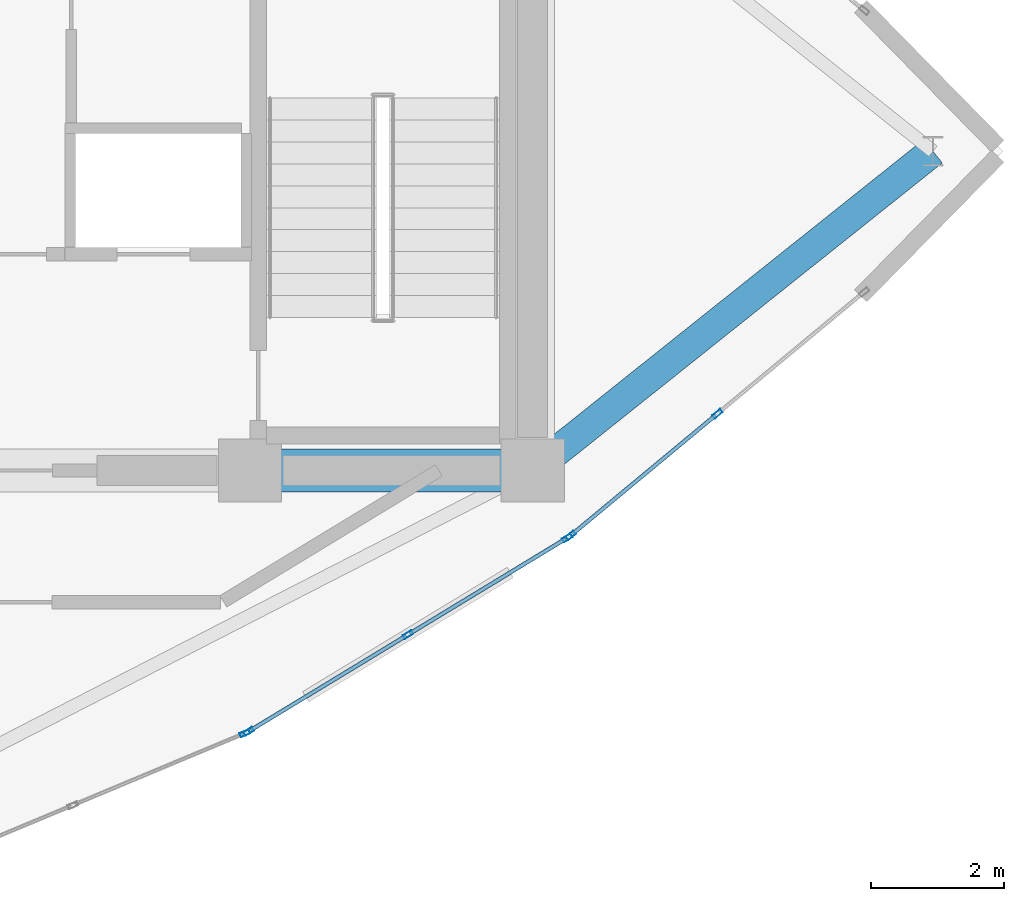
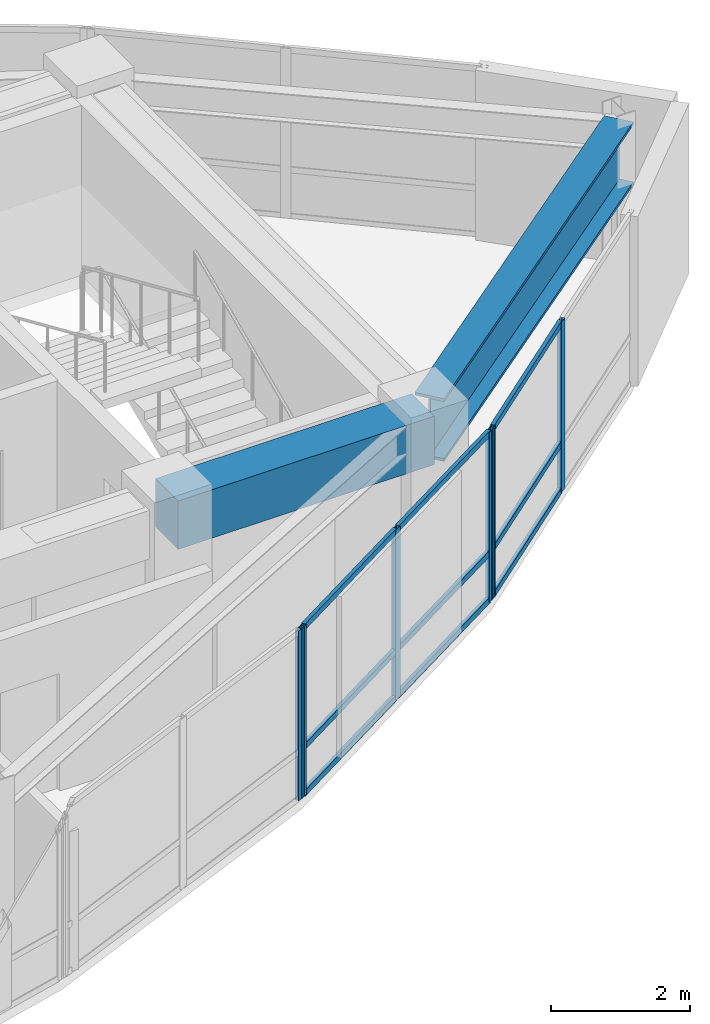
# One storey, part 5 of 14: 15 members, 2 beams, 3 elements without a shape of their own.
"""IFC4 building model written with IfcOpenShell, lengths in metres."""

from ifc_helpers import new_model, si_unit, direction, frame, origin, origin_2d, place, context, subcontext, project, spatial, rectangle, hollow_rectangle, i_section, extrude, material, layer, layer_set, material_profile, profile_set, type_object, element, aggregate, save


model = new_model("IFC4")

# Units and contexts
model_context = context("Model", 3, precision=1e-05, world=origin(), true_north=direction((0.0, 1.0)))
body_context = subcontext(model_context, "Body", "Model", "MODEL_VIEW")
ifc_project = project(units=[si_unit("LENGTHUNIT", "METRE"), si_unit("AREAUNIT", "SQUARE_METRE"), si_unit("VOLUMEUNIT", "CUBIC_METRE"), si_unit("PLANEANGLEUNIT", "RADIAN"), si_unit("MASSUNIT", "GRAM", prefix="KILO")], contexts=[model_context])

# Site, building, storey
site_placement = place(None, origin())
site = spatial("IfcSite", under=ifc_project, at=site_placement, CompositionType="ELEMENT")
building_placement = place(site_placement, origin())
building = spatial("IfcBuilding", under=site, at=building_placement, Name="Menara Vayukalpa", CompositionType="ELEMENT")
storey_placement = place(building_placement, frame((0.0, 0.0, 312.02001953125)))
storey = spatial("IfcBuildingStorey", under=building, at=storey_placement, Name="L80", CompositionType="ELEMENT", Elevation=312.02001953125)

# Beams
ifc_material_1 = material(Name="Concrete C60/75", Category="concrete")
ifc_material_profile_1 = material_profile(ifc_material_1, rectangle(XDim=0.64990234375, YDim=0.85009765625, at=origin_2d()), Name="RC 650x850")
ifc_profile_set_1 = profile_set([ifc_material_profile_1], Name="Concrete C60/75")
beam_type_1 = type_object("IfcBeamType", Name="BM-CB1", PredefinedType="BEAM", material=ifc_profile_set_1)
beam_1_placement = place(storey_placement, frame((29.14990234375, 17.199951171875, 2.554931640625), z_axis=(1.0, 0.0, 0.0), x_axis=(0.0, 1.0, 0.0)))
element("IfcBeam", 1, at=beam_1_placement, inside=storey, type_object=beam_type_1, Name="L80 Core Tie Beam CBR3", PredefinedType="BEAM", context=body_context, shape_type="SweptSolid", body=[
    extrude(rectangle(XDim=0.64990234375, YDim=0.85009765625, at=origin_2d()), origin(), (0.0, 0.0, 1.0), 4.25),
])
ifc_material_2 = material(Name="Steel S460", Category="steel")
ifc_material_profile_2 = material_profile(ifc_material_2, i_section(OverallWidth=0.449951171875, OverallDepth=1.10009765625, WebThickness=0.02490234375, FlangeThickness=0.050048828125, at=origin_2d()), Name="WG 1100x450x25x50")
ifc_profile_set_2 = profile_set([ifc_material_profile_2], Name="Steel S460")
beam_type_2 = type_object("IfcBeamType", Name="BM-MTG1", PredefinedType="BEAM", material=ifc_profile_set_2)
beam_2_placement = place(storey_placement, frame((33.595458984375, 17.35595703125, 2.429931640625), z_axis=(0.781833603421, 0.623487142258, 0.0), x_axis=(-0.623487142258, 0.781833603421, 0.0)))
element("IfcBeam", 2, at=beam_2_placement, inside=storey, type_object=beam_type_2, Name="L80 Primary Radial Girder RG01", PredefinedType="BEAM", context=body_context, shape_type="SweptSolid", body=[
    extrude(i_section(OverallWidth=0.449951171875, OverallDepth=1.10009765625, WebThickness=0.02490234375, FlangeThickness=0.050048828125, at=origin_2d()), origin(), (0.0, 0.0, 1.0), 7.448486328125),
])

# Curtain wall, member
ifc_material_3 = material(Name="Anodised Terracotta Aluminium Alloy 6063-T6", Category="masonry")
ifc_layer = layer(ifc_material_3, 0.14990234375)
ifc_layer_set = layer_set([ifc_layer], Name="Anodised Terracotta Aluminium Alloy 6063-T6")
curtain_wall_type = type_object("IfcCurtainWallType", Name="CW-CW7", PredefinedType="USERDEFINED", material=ifc_layer_set)
curtain_wall_1_placement = place(storey_placement, origin())
curtain_wall_1 = element("IfcCurtainWall", 3, at=curtain_wall_1_placement, inside=storey, type_object=curtain_wall_type, Name="L80 Crown Drum Screened Curtain Wall CW7 16", ObjectType="UNITISED", PredefinedType="USERDEFINED")
ifc_material_4 = material(Name="Anodised Terracotta Aluminium Alloy 6063-T6", Category="masonry")
ifc_material_profile_3 = material_profile(ifc_material_4, hollow_rectangle(XDim=0.06494140625, YDim=0.14990234375, WallThickness=0.00341796875, at=origin_2d()), Name="ALU 65x150x3.5")
ifc_profile_set_3 = profile_set([ifc_material_profile_3], Name="Anodised Terracotta Aluminium Alloy 6063-T6")
member_type_1 = type_object("IfcMemberType", Name="CWM-CW7", PredefinedType="MULLION", material=ifc_profile_set_3)
member_1_placement = place(storey_placement, frame((29.07177734375, 13.246337890625, 0.0), z_axis=(0.0, 0.0, 1.0), x_axis=(-0.385898361946, 0.922541302191, 0.0)))
member_1 = element("IfcMember", 4, at=member_1_placement, type_object=member_type_1, Name="CW7 mullion 3", PredefinedType="MULLION", context=body_context, shape_type="SweptSolid", body=[
    extrude(hollow_rectangle(XDim=0.06494140625, YDim=0.14990234375, WallThickness=0.00341796875, at=origin_2d()), origin(), (0.0, 0.0, 1.0), 2.97998046875),
])
aggregate(curtain_wall_1, [member_1])

# Curtain wall, members
curtain_wall_2_placement = place(storey_placement, origin())
curtain_wall_2 = element("IfcCurtainWall", 5, at=curtain_wall_2_placement, inside=storey, type_object=curtain_wall_type, Name="L80 Crown Drum Screened Curtain Wall CW7 17", ObjectType="UNITISED", PredefinedType="USERDEFINED")
member_2_placement = place(storey_placement, frame((29.129638671875, 13.27587890625, 0.0), z_axis=(0.0, 0.0, 1.0), x_axis=(-0.519176441176, 0.854667083096, 0.0)))
member_2 = element("IfcMember", 6, at=member_2_placement, type_object=member_type_1, Name="CW7 mullion 1", PredefinedType="MULLION", context=body_context, shape_type="SweptSolid", body=[
    extrude(hollow_rectangle(XDim=0.06494140625, YDim=0.14990234375, WallThickness=0.00341796875, at=origin_2d()), origin(), (0.0, 0.0, 1.0), 2.97998046875),
])
member_3_placement = place(storey_placement, frame((31.525146484375, 14.73095703125, 0.0), z_axis=(0.0, 0.0, 1.0), x_axis=(-0.519176441176, 0.854667083096, 0.0)))
member_3 = element("IfcMember", 7, at=member_3_placement, type_object=member_type_1, Name="CW7 mullion 2", PredefinedType="MULLION", context=body_context, shape_type="SweptSolid", body=[
    extrude(hollow_rectangle(XDim=0.06494140625, YDim=0.14990234375, WallThickness=0.00341796875, at=origin_2d()), origin(), (0.0, 0.0, 1.0), 2.97998046875),
])
member_4_placement = place(storey_placement, frame((33.9208984375, 16.186279296875, 0.0), z_axis=(0.0, 0.0, 1.0), x_axis=(-0.519176441176, 0.854667083096, 0.0)))
member_4 = element("IfcMember", 8, at=member_4_placement, type_object=member_type_1, Name="CW7 mullion 3", PredefinedType="MULLION", context=body_context, shape_type="SweptSolid", body=[
    extrude(hollow_rectangle(XDim=0.06494140625, YDim=0.14990234375, WallThickness=0.00341796875, at=origin_2d()), origin(), (0.0, 0.0, 1.0), 2.97998046875),
])

curtain_wall_3_placement = place(storey_placement, origin())
curtain_wall_3 = element("IfcCurtainWall", 9, at=curtain_wall_3_placement, inside=storey, type_object=curtain_wall_type, Name="L80 Crown Drum Screened Curtain Wall CW7 18", ObjectType="UNITISED", PredefinedType="USERDEFINED")
member_5_placement = place(storey_placement, frame((33.9736328125, 16.223876953125, 0.0), z_axis=(0.0, 0.0, 1.0), x_axis=(-0.63834658997, 0.7697490702, 0.0)))
member_5 = element("IfcMember", 10, at=member_5_placement, type_object=member_type_1, Name="CW7 mullion 1", PredefinedType="MULLION", context=body_context, shape_type="SweptSolid", body=[
    extrude(hollow_rectangle(XDim=0.06494140625, YDim=0.14990234375, WallThickness=0.00341796875, at=origin_2d()), origin(), (0.0, 0.0, 1.0), 2.97998046875),
])
member_6_placement = place(storey_placement, frame((36.1796875, 18.053466796875, 0.0), z_axis=(0.0, 0.0, 1.0), x_axis=(-0.63834658997, 0.7697490702, 0.0)))
member_6 = element("IfcMember", 11, at=member_6_placement, type_object=member_type_1, Name="CW7 mullion 2", PredefinedType="MULLION", context=body_context, shape_type="SweptSolid", body=[
    extrude(hollow_rectangle(XDim=0.06494140625, YDim=0.14990234375, WallThickness=0.00341796875, at=origin_2d()), origin(), (0.0, 0.0, 1.0), 2.97998046875),
])

# Member
ifc_material_5 = material(Name="Anodised Terracotta Aluminium Alloy 6063-T6", Category="masonry")
ifc_material_profile_4 = material_profile(ifc_material_5, hollow_rectangle(XDim=0.06005859375, YDim=0.10498046875, WallThickness=0.0029296875, at=origin_2d()), Name="ALU 60x105x3")
ifc_profile_set_4 = profile_set([ifc_material_profile_4], Name="Anodised Terracotta Aluminium Alloy 6063-T6")
member_type_2 = type_object("IfcMemberType", Name="CWT-CW7", PredefinedType="USERDEFINED", material=ifc_profile_set_4)
member_7_placement = place(storey_placement, frame((29.157470703125, 13.292724609375, 0.030029296875), z_axis=(0.854687194246, 0.519143332801, 0.0), x_axis=(-0.519143332801, 0.854687194246, 0.0)))
member_7 = element("IfcMember", 12, at=member_7_placement, type_object=member_type_2, Name="CW7 transom 1.1", ObjectType="TRANSOM", PredefinedType="USERDEFINED", context=body_context, shape_type="SweptSolid", body=[
    extrude(hollow_rectangle(XDim=0.06005859375, YDim=0.10498046875, WallThickness=0.0029296875, at=origin_2d()), origin(), (0.0, 0.0, 1.0), 2.738037109375),
])

member_8_placement = place(storey_placement, frame((29.157470703125, 13.292724609375, 0.85009765625), z_axis=(0.854687194246, 0.519143332801, 0.0), x_axis=(-0.519143332801, 0.854687194246, 0.0)))
member_8 = element("IfcMember", 13, at=member_8_placement, type_object=member_type_2, Name="CW7 transom 1.2", ObjectType="TRANSOM", PredefinedType="USERDEFINED", context=body_context, shape_type="SweptSolid", body=[
    extrude(hollow_rectangle(XDim=0.06005859375, YDim=0.10498046875, WallThickness=0.0029296875, at=origin_2d()), origin(), (0.0, 0.0, 1.0), 2.738037109375),
])

member_9_placement = place(storey_placement, frame((29.157470703125, 13.292724609375, 2.949951171875), z_axis=(0.854687194246, 0.519143332801, 0.0), x_axis=(-0.519143332801, 0.854687194246, 0.0)))
member_9 = element("IfcMember", 14, at=member_9_placement, type_object=member_type_2, Name="CW7 transom 1.3", ObjectType="TRANSOM", PredefinedType="USERDEFINED", context=body_context, shape_type="SweptSolid", body=[
    extrude(hollow_rectangle(XDim=0.06005859375, YDim=0.10498046875, WallThickness=0.0029296875, at=origin_2d()), origin(), (0.0, 0.0, 1.0), 2.738037109375),
])

member_10_placement = place(storey_placement, frame((31.552978515625, 14.747802734375, 0.030029296875), z_axis=(0.854647628743, 0.519208465537, 0.0), x_axis=(-0.519208465537, 0.854647628743, 0.0)))
member_10 = element("IfcMember", 15, at=member_10_placement, type_object=member_type_2, Name="CW7 transom 2.1", ObjectType="TRANSOM", PredefinedType="USERDEFINED", context=body_context, shape_type="SweptSolid", body=[
    extrude(hollow_rectangle(XDim=0.06005859375, YDim=0.10498046875, WallThickness=0.0029296875, at=origin_2d()), origin(), (0.0, 0.0, 1.0), 2.738037109375),
])

member_11_placement = place(storey_placement, frame((31.552978515625, 14.747802734375, 0.85009765625), z_axis=(0.854647628743, 0.519208465537, 0.0), x_axis=(-0.519208465537, 0.854647628743, 0.0)))
member_11 = element("IfcMember", 16, at=member_11_placement, type_object=member_type_2, Name="CW7 transom 2.2", ObjectType="TRANSOM", PredefinedType="USERDEFINED", context=body_context, shape_type="SweptSolid", body=[
    extrude(hollow_rectangle(XDim=0.06005859375, YDim=0.10498046875, WallThickness=0.0029296875, at=origin_2d()), origin(), (0.0, 0.0, 1.0), 2.738037109375),
])

member_12_placement = place(storey_placement, frame((31.552978515625, 14.747802734375, 2.949951171875), z_axis=(0.854647628743, 0.519208465537, 0.0), x_axis=(-0.519208465537, 0.854647628743, 0.0)))
member_12 = element("IfcMember", 17, at=member_12_placement, type_object=member_type_2, Name="CW7 transom 2.3", ObjectType="TRANSOM", PredefinedType="USERDEFINED", context=body_context, shape_type="SweptSolid", body=[
    extrude(hollow_rectangle(XDim=0.06005859375, YDim=0.10498046875, WallThickness=0.0029296875, at=origin_2d()), origin(), (0.0, 0.0, 1.0), 2.738037109375),
])

aggregate(curtain_wall_2, [member_2, member_3, member_4, member_7, member_8, member_9, member_10, member_11, member_12])

member_13_placement = place(storey_placement, frame((33.998779296875, 16.24462890625, 0.030029296875), z_axis=(0.769726621741, 0.638373658434, 0.0), x_axis=(-0.638373658434, 0.769726621741, 0.0)))
member_13 = element("IfcMember", 18, at=member_13_placement, type_object=member_type_2, Name="CW7 transom 1.1", ObjectType="TRANSOM", PredefinedType="USERDEFINED", context=body_context, shape_type="SweptSolid", body=[
    extrude(hollow_rectangle(XDim=0.06005859375, YDim=0.10498046875, WallThickness=0.0029296875, at=origin_2d()), origin(), (0.0, 0.0, 1.0), 2.801025390625),
])

member_14_placement = place(storey_placement, frame((33.998779296875, 16.24462890625, 0.85009765625), z_axis=(0.769726621741, 0.638373658434, 0.0), x_axis=(-0.638373658434, 0.769726621741, 0.0)))
member_14 = element("IfcMember", 19, at=member_14_placement, type_object=member_type_2, Name="CW7 transom 1.2", ObjectType="TRANSOM", PredefinedType="USERDEFINED", context=body_context, shape_type="SweptSolid", body=[
    extrude(hollow_rectangle(XDim=0.06005859375, YDim=0.10498046875, WallThickness=0.0029296875, at=origin_2d()), origin(), (0.0, 0.0, 1.0), 2.801025390625),
])

member_15_placement = place(storey_placement, frame((33.998779296875, 16.24462890625, 2.949951171875), z_axis=(0.769726621741, 0.638373658434, 0.0), x_axis=(-0.638373658434, 0.769726621741, 0.0)))
member_15 = element("IfcMember", 20, at=member_15_placement, type_object=member_type_2, Name="CW7 transom 1.3", ObjectType="TRANSOM", PredefinedType="USERDEFINED", context=body_context, shape_type="SweptSolid", body=[
    extrude(hollow_rectangle(XDim=0.06005859375, YDim=0.10498046875, WallThickness=0.0029296875, at=origin_2d()), origin(), (0.0, 0.0, 1.0), 2.801025390625),
])

aggregate(curtain_wall_3, [member_5, member_6, member_13, member_14, member_15])

save(model, "model.ifc")
